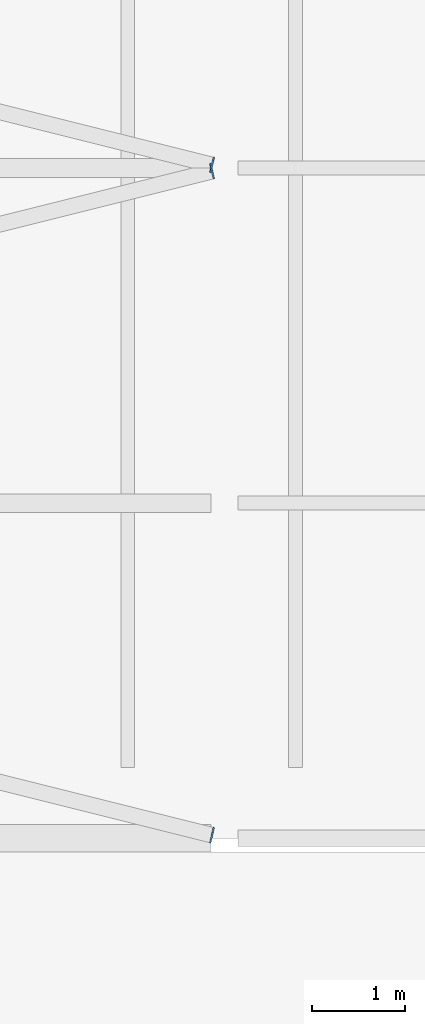
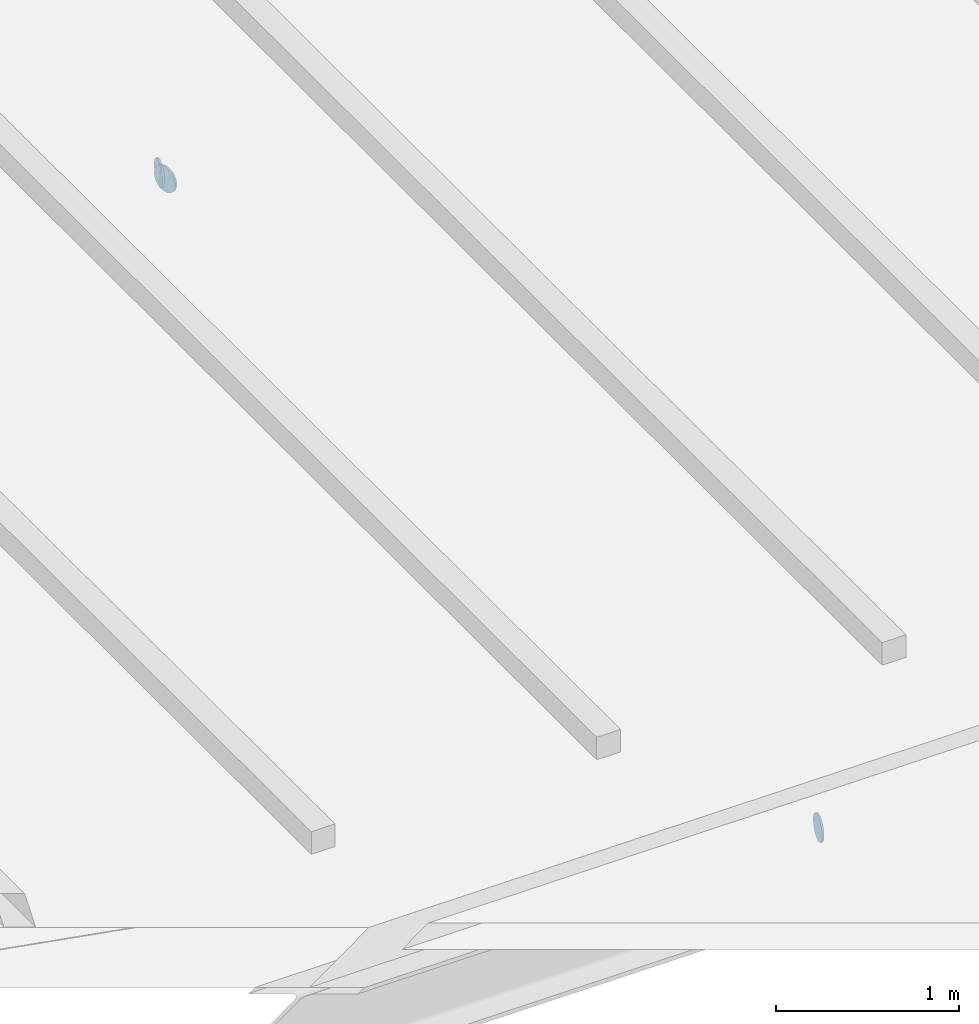
# One storey, part 96 of 120: 3 discrete accessories.
"""IFC4 building model written with IfcOpenShell, lengths in metres."""

from ifc_helpers import new_model, si_unit, direction, frame, origin, origin_2d, place, context, subcontext, project, spatial, circle, extrude, material, layer, layer_set, type_object, element, save


model = new_model("IFC4")

# Units and contexts
model_context = context("Model", 3, precision=1e-05, world=origin(), true_north=direction((0.0, 1.0)))
body_context = subcontext(model_context, "Body", "Model", "MODEL_VIEW")
ifc_project = project(units=[si_unit("LENGTHUNIT", "METRE"), si_unit("AREAUNIT", "SQUARE_METRE"), si_unit("VOLUMEUNIT", "CUBIC_METRE"), si_unit("PLANEANGLEUNIT", "RADIAN"), si_unit("MASSUNIT", "GRAM", prefix="KILO")], contexts=[model_context])

# Site, building, storey
site_placement = place(None, origin())
site = spatial("IfcSite", under=ifc_project, at=site_placement, CompositionType="ELEMENT")
building_placement = place(site_placement, origin())
building = spatial("IfcBuilding", under=site, at=building_placement, Name="Kupolbacken Congress Centre", CompositionType="ELEMENT")
storey_placement = place(building_placement, frame((0.0, 0.0, 21.60009765625)))
storey = spatial("IfcBuildingStorey", under=building, at=storey_placement, Name="L06", CompositionType="ELEMENT", Elevation=21.60009765625)

# Discrete accessories
ifc_material = material(Name="Steel S355", Category="steel")
ifc_layer = layer(ifc_material, 0.011962890625)
ifc_layer_set = layer_set([ifc_layer], Name="Steel S355")
discrete_accessory_type = type_object("IfcDiscreteAccessoryType", Name="EC2 tube end cap plate 168 dia x 12", PredefinedType="BRACKET", material=ifc_layer_set)
for number, where, z_axis, x_axis, name in (
    (1, (194.25927734375, 43.235107421875, -0.084228515625), (0.974732318528, -0.223376156329, 0.0), (0.223376156329, 0.974732318528, 0.0), "End cap plate HR/RB/07-00 A"),
    (2, (194.25927734375, 50.36474609375, -0.084228515625), (0.970142500145, 0.242535625036, 0.0), (-0.242535625036, 0.970142500145, 0.0), "End cap plate HR/RB/07-01 B"),
    (3, (194.25927734375, 50.435302734375, -0.084228515625), (0.970142500145, -0.242535625036, 0.0), (0.242535625036, 0.970142500145, 0.0), "End cap plate HR/RB/07-02 A"),
):
    element("IfcDiscreteAccessory", number, at=place(storey_placement, frame(where, z_axis=z_axis, x_axis=x_axis)), inside=storey, type_object=discrete_accessory_type, Name=name, PredefinedType="BRACKET", context=body_context, shape_type="SweptSolid", body=[
        extrude(circle(Radius=0.084228515625, at=origin_2d()), origin(), (0.0, 0.0, 1.0), 0.011962890625),
    ])

save(model, "model.ifc")
